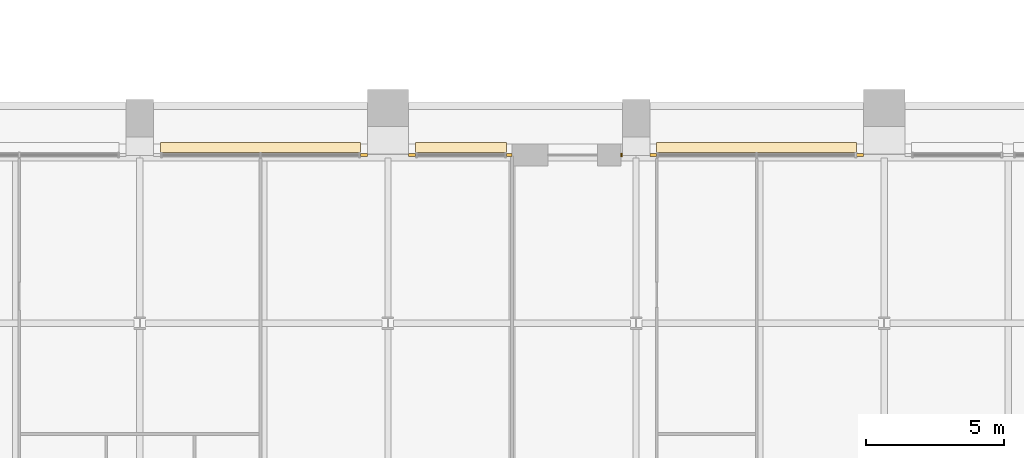
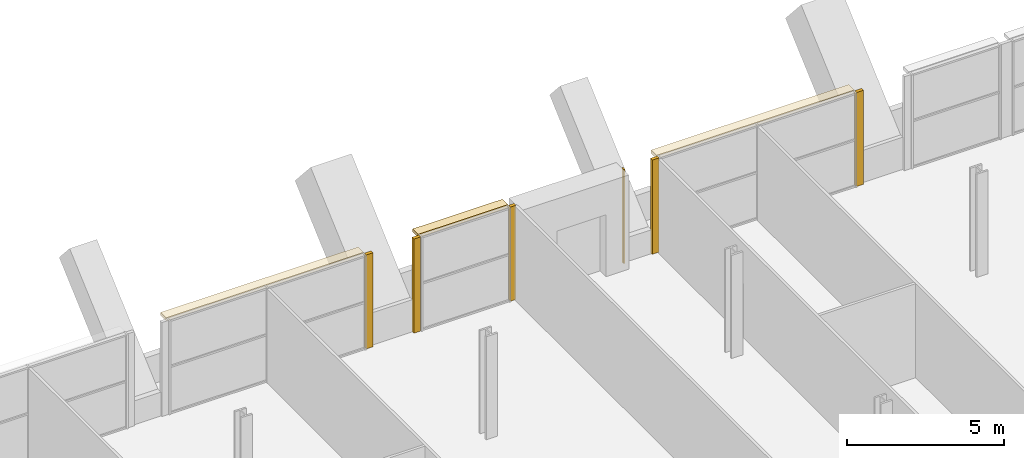
# One storey, part 23 of 26: 9 coverings.
"""IFC4 building model written with IfcOpenShell, lengths in metres."""

import ifcopenshell
import ifcopenshell.guid

model = None  # the IFC model being written
_history = None  # IfcOwnerHistory: only IFC2X3 demands one
_inside = {}  # id of a spatial element -> (the spatial element, [elements in it])
_under = {}  # id of a project, library or spatial element -> (it, [spatial elements below it])
_declared = {}  # id of a project -> (the project, [libraries it declares])
_typed = {}  # id of a type object -> (the type object, [elements of that type])
_made_of = {}  # id of a material, layer set ... -> (it, [elements and type objects made of it])


def new_model(schema):
    """Start an empty IFC model of exactly this schema.

    Asked for "IFC4X3", IfcOpenShell would pick the latest addendum, in which some entities
    have other attributes; the version numbers below select the first issue.
    IFC2X3 requires an IfcOwnerHistory on every rooted entity: one is made here for all.
    """
    global model, _history
    if schema == "IFC4X3":
        model = ifcopenshell.file(schema_version=(4, 3, 0, 0))
    else:
        model = ifcopenshell.file(schema=schema)
    _inside.clear()
    _under.clear()
    _declared.clear()
    _typed.clear()
    _made_of.clear()
    _history = None
    if model.schema == "IFC2X3":
        org = make("IfcOrganization", Name="unknown")
        user = make(
            "IfcPersonAndOrganization",
            ThePerson=make("IfcPerson", FamilyName="unknown"),
            TheOrganization=org,
        )
        app = make(
            "IfcApplication",
            ApplicationDeveloper=org,
            Version="unknown",
            ApplicationFullName="unknown",
            ApplicationIdentifier="unknown",
        )
        _history = make(
            "IfcOwnerHistory",
            OwningUser=user,
            OwningApplication=app,
            ChangeAction="ADDED",
            CreationDate=0,
        )
    return model


def make(cls, **values):
    """One entity of the class cls with the attributes given. An attribute that is None is left unset."""
    return model.create_entity(
        cls, **{name: value for name, value in values.items() if value is not None}
    )


def rooted(cls, **values):
    """An entity with a GlobalId (a new one), such as an element, a storey or a relation."""
    return make(cls, GlobalId=ifcopenshell.guid.new(), OwnerHistory=_history, **values)


def si_unit(unit_type, name, prefix=None):
    """IfcSIUnit, for example si_unit("LENGTHUNIT", "METRE", prefix="MILLI")."""
    return make("IfcSIUnit", UnitType=unit_type, Prefix=prefix, Name=name)


def assignment(units):
    """IfcUnitAssignment: the units of a project."""
    return None if units is None else make("IfcUnitAssignment", Units=units)


def point(xyz):
    """IfcCartesianPoint."""
    return None if xyz is None else make("IfcCartesianPoint", Coordinates=xyz)


def direction(xyz):
    """IfcDirection."""
    return None if xyz is None else make("IfcDirection", DirectionRatios=xyz)


def frame(location, z_axis=None, x_axis=None):
    """IfcAxis2Placement3D, a coordinate frame: its origin and axes. An axis left out is left unset."""
    return make(
        "IfcAxis2Placement3D",
        Location=point(location),
        Axis=direction(z_axis),
        RefDirection=direction(x_axis),
    )


def frame_2d(location, x_axis=None):
    """IfcAxis2Placement2D, a coordinate frame in the plane: its origin and x axis."""
    return make(
        "IfcAxis2Placement2D", Location=point(location), RefDirection=direction(x_axis)
    )


def origin():
    """The frame at (0, 0, 0) with its axes left unset."""
    return frame((0.0, 0.0, 0.0))


def origin_2d():
    """The frame at (0, 0) in the plane with its x axis left unset."""
    return frame_2d((0.0, 0.0))


def place(relative_to, where):
    """IfcLocalPlacement: puts the frame where relative to a parent placement (None: the world)."""
    return make(
        "IfcLocalPlacement", PlacementRelTo=relative_to, RelativePlacement=where
    )


def context(
    kind, dimensions, precision=None, world=None, true_north=None, identifier=None
):
    """IfcGeometricRepresentationContext, for example the 3D "Model" context."""
    return make(
        "IfcGeometricRepresentationContext",
        ContextIdentifier=identifier,
        ContextType=kind,
        CoordinateSpaceDimension=dimensions,
        Precision=precision,
        WorldCoordinateSystem=world,
        TrueNorth=true_north,
    )


def subcontext(parent, identifier, kind, view, scale=None):
    """IfcGeometricRepresentationSubContext, for example "Body" below "Model"."""
    return make(
        "IfcGeometricRepresentationSubContext",
        ContextIdentifier=identifier,
        ContextType=kind,
        ParentContext=parent,
        TargetScale=scale,
        TargetView=view,
    )


def project(units=None, contexts=None):
    """IfcProject with its units and contexts."""
    return rooted(
        "IfcProject",
        Name="project",
        RepresentationContexts=contexts,
        UnitsInContext=assignment(units),
    )


def spatial(cls, under=None, at=None, **own):
    """A site, building, storey or space (cls), placed at a placement, below another one or the project."""
    s = rooted(cls, ObjectPlacement=at, **own)
    if under is not None:
        _under.setdefault(under.id(), (under, []))[1].append(s)
    return s


def polyline(points):
    """IfcPolyline through the points."""
    return make("IfcPolyline", Points=[point(p) for p in points])


def profile(cls, at=None, kind="AREA", **sizes):
    """A parametric profile (cls). Its sizes go by their IFC names, for example OverallWidth=200.0."""
    return make(cls, ProfileType=kind, Position=at, **sizes)


def rectangle(**sizes):
    """IfcRectangleProfileDef."""
    return profile("IfcRectangleProfileDef", **sizes)


def outline(outer, holes=None, kind="AREA"):
    """IfcArbitraryClosedProfileDef: a profile drawn as a closed curve; with holes, ...WithVoids."""
    if holes is None:
        return make("IfcArbitraryClosedProfileDef", ProfileType=kind, OuterCurve=outer)
    return make(
        "IfcArbitraryProfileDefWithVoids",
        ProfileType=kind,
        OuterCurve=outer,
        InnerCurves=holes,
    )


def extrude(swept, where, along, depth):
    """IfcExtrudedAreaSolid: the profile swept, set in the frame where, extruded along a direction by depth."""
    return make(
        "IfcExtrudedAreaSolid",
        SweptArea=swept,
        Position=where,
        ExtrudedDirection=direction(along),
        Depth=depth,
    )


def shape(context_of_items, identifier, shape_type, items):
    """IfcShapeRepresentation: the items that make up one representation, for example the "Body"."""
    return make(
        "IfcShapeRepresentation",
        ContextOfItems=context_of_items,
        RepresentationIdentifier=identifier,
        RepresentationType=shape_type,
        Items=items,
    )


def material(Name=None, Category=None):
    """IfcMaterial."""
    return make("IfcMaterial", Name=Name, Category=Category)


def layer(
    of_material, thickness, ventilated=None, Name=None, Category=None, Priority=None
):
    """IfcMaterialLayer: one layer of a wall or slab, of a material (None: an air gap)."""
    return make(
        "IfcMaterialLayer",
        Material=of_material,
        LayerThickness=thickness,
        IsVentilated=ventilated,
        Name=Name,
        Category=Category,
        Priority=Priority,
    )


def layer_set(layers, Name=None):
    """IfcMaterialLayerSet."""
    return make("IfcMaterialLayerSet", MaterialLayers=layers, LayerSetName=Name)


def made_of(thing, what):
    """Note that an element or type object is made of a material, layer set ...; save() writes the relation."""
    if what is not None:
        _made_of.setdefault(what.id(), (what, []))[1].append(thing)
    return thing


def type_object(cls, material=None, **own):
    """A type object (cls), such as IfcWallType, which elements share."""
    return made_of(rooted(cls, **own), material)


def element(
    cls,
    number,
    at=None,
    inside=None,
    cuts=None,
    type_object=None,
    material=None,
    context=None,
    identifier="Body",
    shape_type=None,
    held_by="IfcProductDefinitionShape",
    body=None,
    shapes=None,
    **own,
):
    """One element of the class cls, such as IfcWall. Its Tag is "e" and its number.

    at: its placement. inside: the storey or other place that contains it. cuts: it is an
    opening in that element (IfcRelVoidsElement). A single representation is given by context,
    identifier, shape_type and body (its items); several are given by shapes. held_by: the class
    of the entity that holds the representations. save() writes the other relations.
    """
    e = rooted(cls, Tag="e%d" % number, ObjectPlacement=at, **own)
    if body is not None:
        shapes = [shape(context, identifier, shape_type, body)]
    if shapes is not None:
        e.Representation = make(held_by, Representations=shapes)
    if inside is not None:
        _inside.setdefault(inside.id(), (inside, []))[1].append(e)
    if cuts is not None:
        rooted(
            "IfcRelVoidsElement", RelatingBuildingElement=cuts, RelatedOpeningElement=e
        )
    if type_object is not None:
        _typed.setdefault(type_object.id(), (type_object, []))[1].append(e)
    return made_of(e, material)


def aggregate(whole, parts):
    """IfcRelAggregates: a whole, such as a stair, and the parts it consists of."""
    return rooted("IfcRelAggregates", RelatingObject=whole, RelatedObjects=parts)


def save(model, path):
    """Write the relations noted so far, then the file.

    IfcRelAggregates (storeys below a building ...), IfcRelContainedInSpatialStructure (elements
    in a storey), IfcRelDefinesByType, IfcRelAssociatesMaterial and IfcRelDeclares: one each for
    every whole, place, type object, material and project.
    """
    for whole, parts in _under.values():
        aggregate(whole, parts)
    for where, things in _inside.values():
        rooted(
            "IfcRelContainedInSpatialStructure",
            RelatedElements=things,
            RelatingStructure=where,
        )
    for kind, things in _typed.values():
        rooted("IfcRelDefinesByType", RelatedObjects=things, RelatingType=kind)
    for what, things in _made_of.values():
        rooted("IfcRelAssociatesMaterial", RelatedObjects=things, RelatingMaterial=what)
    for by, libraries in _declared.values():
        rooted("IfcRelDeclares", RelatingContext=by, RelatedDefinitions=libraries)
    model.write(path)


model = new_model("IFC4")

# Units and contexts
model_context = context("Model", 3, precision=1e-05, world=origin(), true_north=direction((0.0, 1.0)))
body_context = subcontext(model_context, "Body", "Model", "MODEL_VIEW")
ifc_project = project(units=[si_unit("LENGTHUNIT", "METRE"), si_unit("AREAUNIT", "SQUARE_METRE"), si_unit("VOLUMEUNIT", "CUBIC_METRE"), si_unit("PLANEANGLEUNIT", "RADIAN"), si_unit("MASSUNIT", "GRAM", prefix="KILO")], contexts=[model_context])

# Site, building, storey
site_placement = place(None, origin())
site = spatial("IfcSite", under=ifc_project, at=site_placement, CompositionType="ELEMENT")
building_placement = place(site_placement, origin())
building = spatial("IfcBuilding", under=site, at=building_placement, Name="Zellij Exchange Tower", CompositionType="ELEMENT")
storey_placement = place(building_placement, frame((0.0, 0.0, 156.5)))
storey = spatial("IfcBuildingStorey", under=building, at=storey_placement, Name="L35", CompositionType="ELEMENT", Elevation=156.5)

# Coverings
ifc_material_1 = material(Name="Limestone cladding", Category="masonry")
ifc_layer_1 = layer(ifc_material_1, 0.1201171875)
ifc_layer_set_1 = layer_set([ifc_layer_1], Name="Limestone cladding")
covering_type_1 = type_object("IfcCoveringType", Name="ENV-CV18 Glazing closer 120", PredefinedType="CLADDING", material=ifc_layer_set_1)
for number, where, z_axis, x_axis, name in (
    (1, (8.125, 20.10009765625, 0.0), (0.0, 0.0, 1.0), (1.0, 0.0, 0.0), "Glazing closer"),
    (2, (0.625, 20.10009765625, 0.0), (0.0, 0.0, 1.0), (-1.0, 0.0, 0.0), "Glazing closer"),
    (3, (-8.125, 20.10009765625, 0.0), (0.0, 0.0, 1.0), (-1.0, 0.0, 0.0), "Glazing closer"),
    (4, (-9.875, 20.10009765625, 0.0), (0.0, 0.0, 1.0), (1.0, 0.0, 0.0), "Glazing closer"),
):
    element("IfcCovering", number, at=place(storey_placement, frame(where, z_axis=z_axis, x_axis=x_axis)), inside=storey, type_object=covering_type_1, Name=name, PredefinedType="CLADDING", context=body_context, shape_type="SweptSolid", body=[
        extrude(rectangle(XDim=0.25, YDim=0.1201171875, at=origin_2d()), origin(), (0.0, 0.0, 1.0), 3.64990234375),
    ])
covering_1_placement = place(storey_placement, frame((-4.60009765625, 20.10009765625, 0.0), z_axis=(0.0, 0.0, 1.0), x_axis=(1.0, 0.0, 0.0)))
element("IfcCovering", 5, at=covering_1_placement, inside=storey, type_object=covering_type_1, Name="Glazing closer", PredefinedType="CLADDING", context=body_context, shape_type="SweptSolid", body=[
    extrude(rectangle(XDim=0.199951171875, YDim=0.1201171875, at=origin_2d()), origin(), (0.0, 0.0, 1.0), 3.64990234375),
])
covering_2_placement = place(storey_placement, frame((-0.52490234375, 20.10009765625, 0.0), z_axis=(0.0, 0.0, 1.0), x_axis=(1.0, 0.0, 0.0)))
element("IfcCovering", 6, at=covering_2_placement, inside=storey, type_object=covering_type_1, Name="Glazing closer", PredefinedType="CLADDING", context=body_context, shape_type="SweptSolid", body=[
    extrude(rectangle(XDim=0.050048828125, YDim=0.1201171875, at=origin_2d()), origin(), (0.0, 0.0, 1.0), 3.64990234375),
])
ifc_material_2 = material(Name="Limestone sunshade", Category="masonry")
ifc_layer_2 = layer(ifc_material_2, 0.1201171875)
ifc_layer_set_2 = layer_set([ifc_layer_2], Name="Limestone sunshade")
covering_type_2 = type_object("IfcCoveringType", Name="ENV-SC2 Stone sunshade 120", PredefinedType="USERDEFINED", material=ifc_layer_set_2)
covering_3_placement = place(storey_placement, frame((0.0, 0.0, 3.530029296875)))
element("IfcCovering", 7, at=covering_3_placement, inside=storey, type_object=covering_type_2, Name="Stone sunshade", ObjectType="SUNSHADE", PredefinedType="USERDEFINED", context=body_context, shape_type="SweptSolid", body=[
    extrude(outline(polyline([(8.0, 20.199951171875), (0.75, 20.199951171875), (0.75, 20.550048828125), (8.0, 20.550048828125), (8.0, 20.199951171875)])), origin(), (0.0, 0.0, 1.0), 0.119873046875),
])
covering_4_placement = place(storey_placement, frame((0.0, 0.0, 3.530029296875)))
element("IfcCovering", 8, at=covering_4_placement, inside=storey, type_object=covering_type_2, Name="Stone sunshade", ObjectType="SUNSHADE", PredefinedType="USERDEFINED", context=body_context, shape_type="SweptSolid", body=[
    extrude(outline(polyline([(-4.699951171875, 20.199951171875), (-8.0, 20.199951171875), (-8.0, 20.550048828125), (-4.699951171875, 20.550048828125), (-4.699951171875, 20.199951171875)])), origin(), (0.0, 0.0, 1.0), 0.119873046875),
])
covering_5_placement = place(storey_placement, frame((0.0, 0.0, 3.530029296875)))
element("IfcCovering", 9, at=covering_5_placement, inside=storey, type_object=covering_type_2, Name="Stone sunshade", ObjectType="SUNSHADE", PredefinedType="USERDEFINED", context=body_context, shape_type="SweptSolid", body=[
    extrude(outline(polyline([(-10.0, 20.199951171875), (-17.25, 20.199951171875), (-17.25, 20.550048828125), (-10.0, 20.550048828125), (-10.0, 20.199951171875)])), origin(), (0.0, 0.0, 1.0), 0.119873046875),
])

save(model, "model.ifc")
